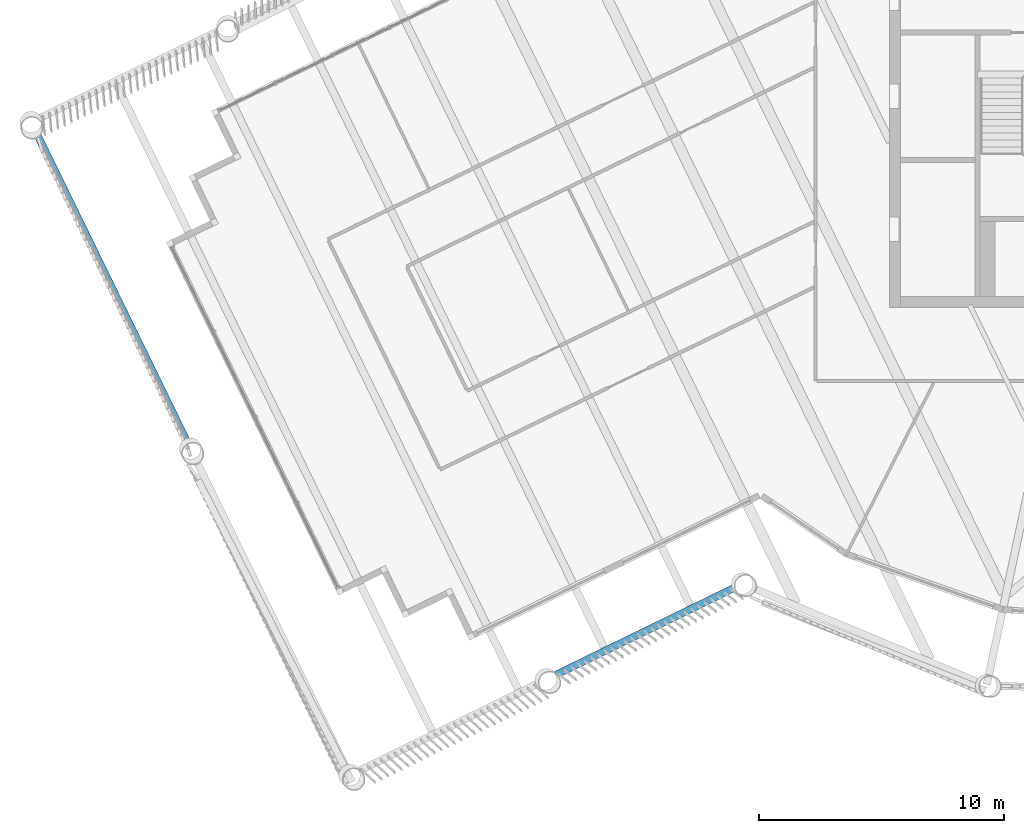
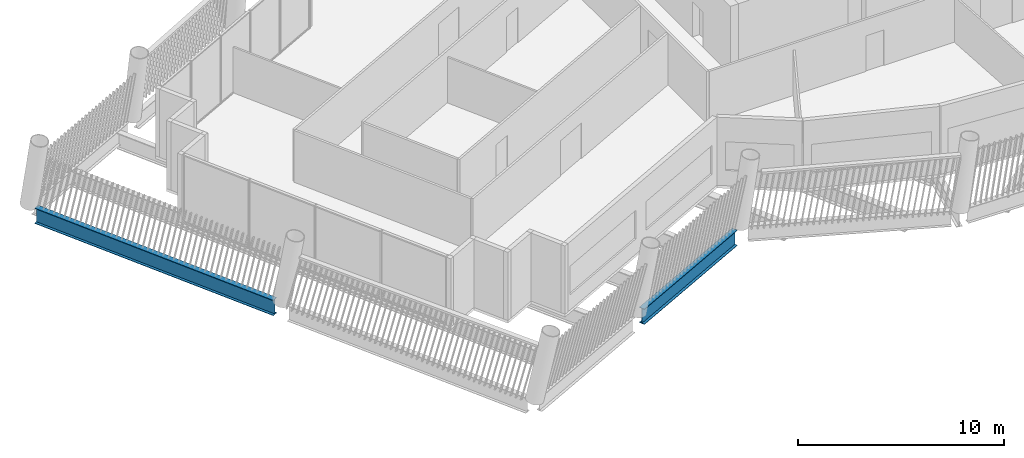
# One storey, part 3 of 31: 2 beams.
"""IFC4 building model written with IfcOpenShell, lengths in metres."""

from ifc_helpers import new_model, si_unit, direction, frame, origin, origin_2d, place, context, subcontext, project, spatial, i_section, extrude, material, material_profile, profile_set, type_object, element, save


model = new_model("IFC4")

# Units and contexts
model_context = context("Model", 3, precision=1e-05, world=origin(), true_north=direction((0.0, 1.0)))
body_context = subcontext(model_context, "Body", "Model", "MODEL_VIEW")
ifc_project = project(units=[si_unit("LENGTHUNIT", "METRE"), si_unit("AREAUNIT", "SQUARE_METRE"), si_unit("VOLUMEUNIT", "CUBIC_METRE"), si_unit("PLANEANGLEUNIT", "RADIAN"), si_unit("MASSUNIT", "GRAM", prefix="KILO")], contexts=[model_context])

# Site, building, storey
site_placement = place(None, origin())
site = spatial("IfcSite", under=ifc_project, at=site_placement, CompositionType="ELEMENT")
building_placement = place(site_placement, origin())
building = spatial("IfcBuilding", under=site, at=building_placement, Name="Tarsis Ring Headquarters", CompositionType="ELEMENT")
storey_placement = place(building_placement, frame((0.0, 0.0, 390.199951171875)))
storey = spatial("IfcBuildingStorey", under=building, at=storey_placement, Name="L92", CompositionType="ELEMENT", Elevation=390.199951171875)

# Beams
ifc_material = material(Name="Structural steel S355", Category="steel")
ifc_material_profile = material_profile(ifc_material, i_section(OverallWidth=0.3046875, OverallDepth=0.91943359375, WebThickness=0.017333984375, FlangeThickness=0.02783203125, at=origin_2d()), Name="W36x170")
ifc_profile_set = profile_set([ifc_material_profile], Name="Structural steel S355")
beam_type = type_object("IfcBeamType", Name="XG Ring girder W36x170", PredefinedType="BEAM", material=ifc_profile_set)
beam_1_placement = place(storey_placement, frame((-44.77587890625, -5.830078125, -0.459716796875), z_axis=(0.438381301649, -0.898789093372, 0.0), x_axis=(0.898789093372, 0.438381301649, 0.0)))
element("IfcBeam", 1, at=beam_1_placement, inside=storey, type_object=beam_type, Name="Ring girder XG4", PredefinedType="BEAM", context=body_context, shape_type="SweptSolid", body=[
    extrude(i_section(OverallWidth=0.3046875, OverallDepth=0.91943359375, WebThickness=0.017333984375, FlangeThickness=0.02783203125, at=origin_2d()), origin(), (0.0, 0.0, 1.0), 13.976806640625),
])
beam_2_placement = place(storey_placement, frame((-23.609375, -27.981689453125, -0.459716796875), z_axis=(0.898795452556, 0.438368263523, 0.0), x_axis=(-0.438368263523, 0.898795452556, 0.0)))
element("IfcBeam", 2, at=beam_2_placement, inside=storey, type_object=beam_type, Name="Ring girder XG4", PredefinedType="BEAM", context=body_context, shape_type="SweptSolid", body=[
    extrude(i_section(OverallWidth=0.3046875, OverallDepth=0.91943359375, WebThickness=0.017333984375, FlangeThickness=0.02783203125, at=origin_2d()), origin(), (0.0, 0.0, 1.0), 8.079345703125),
])

save(model, "model.ifc")
